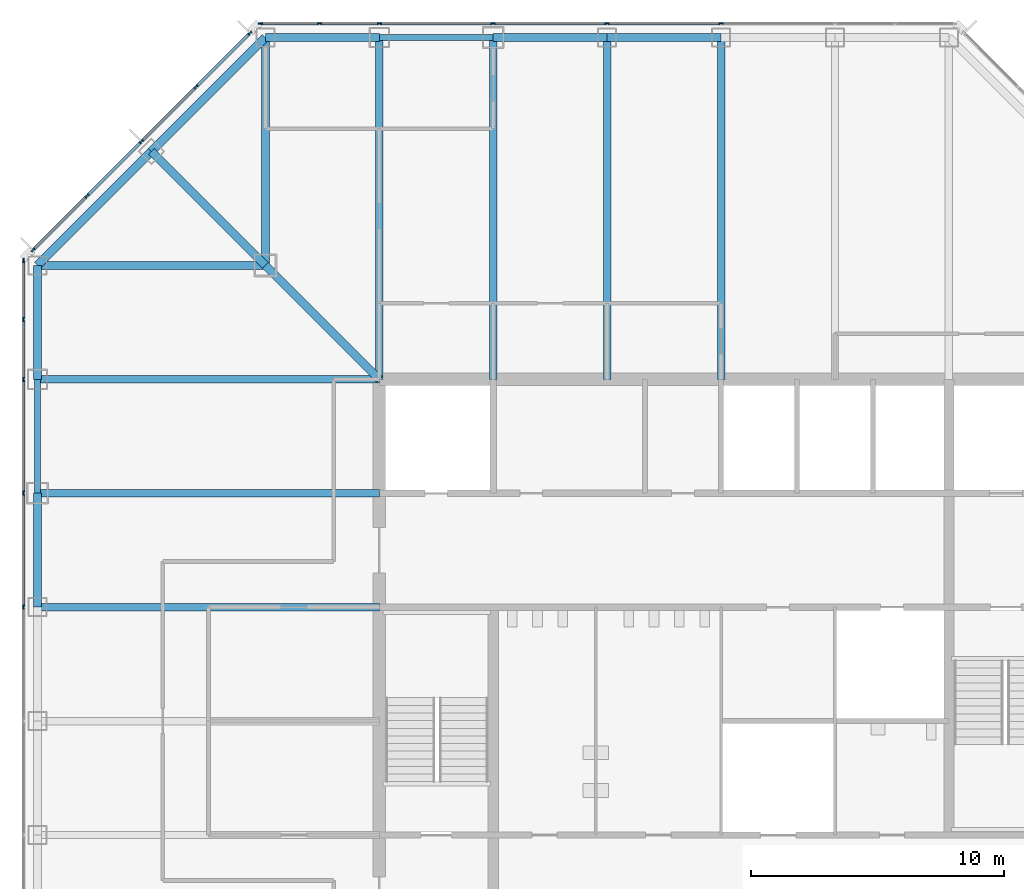
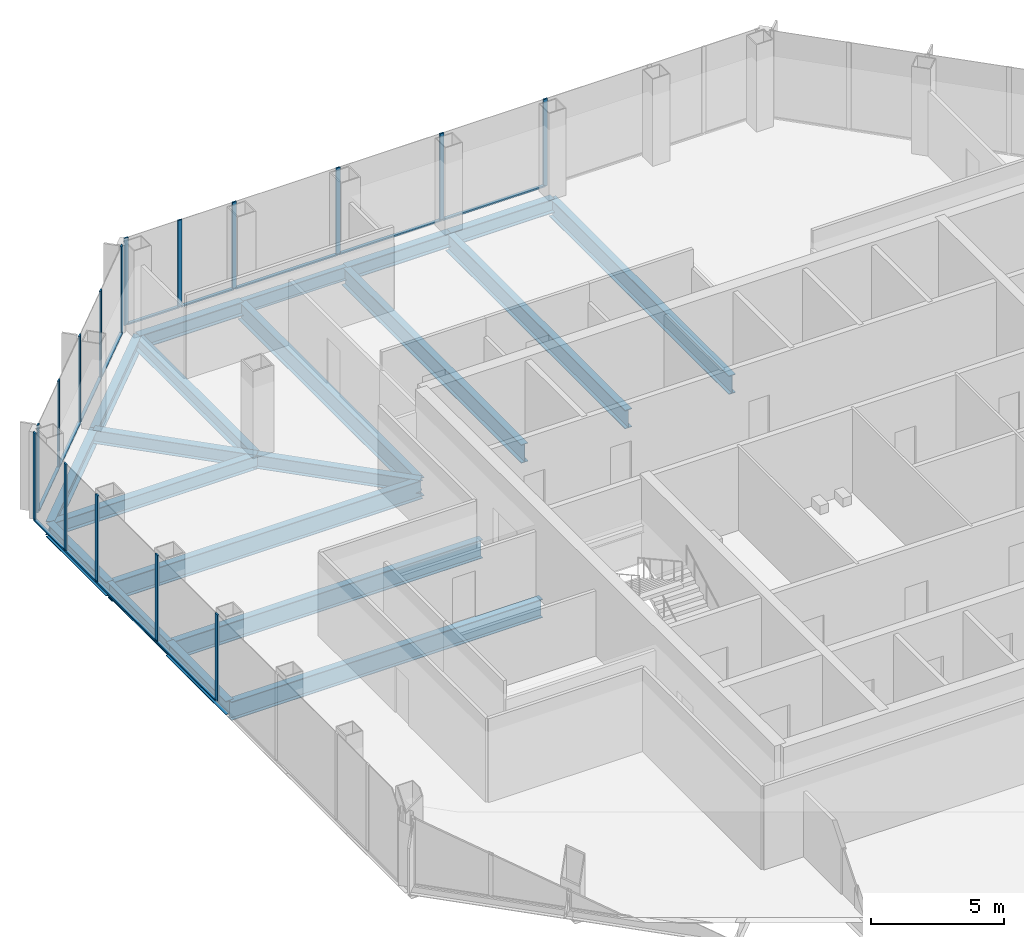
# One storey, part 5 of 12: 29 members, 20 beams, 3 elements without a shape of their own.
"""IFC4 building model written with IfcOpenShell, lengths in metres."""

from ifc_helpers import new_model, si_unit, direction, frame, origin, origin_2d, place, context, subcontext, project, spatial, rectangle, i_section, extrude, material, material_profile, profile_set, type_object, element, aggregate, save


model = new_model("IFC4")

# Units and contexts
model_context = context("Model", 3, precision=1e-05, world=origin(), true_north=direction((0.0, 1.0)))
body_context = subcontext(model_context, "Body", "Model", "MODEL_VIEW")
ifc_project = project(units=[si_unit("LENGTHUNIT", "METRE"), si_unit("AREAUNIT", "SQUARE_METRE"), si_unit("VOLUMEUNIT", "CUBIC_METRE"), si_unit("PLANEANGLEUNIT", "RADIAN"), si_unit("MASSUNIT", "GRAM", prefix="KILO")], contexts=[model_context])

# Site, building, storey
site_placement = place(None, origin())
site = spatial("IfcSite", under=ifc_project, at=site_placement, CompositionType="ELEMENT")
building_placement = place(site_placement, origin())
building = spatial("IfcBuilding", under=site, at=building_placement, Name="Corais Broadcast Tower", CompositionType="ELEMENT")
storey_placement = place(building_placement, frame((0.0, 0.0, 131.60009765625)))
storey = spatial("IfcBuildingStorey", under=building, at=storey_placement, Name="L29", CompositionType="ELEMENT", Elevation=131.60009765625)

# Beams
ifc_material_1 = material(Name="Steel ASTM A572 Grade 50", Category="steel")
ifc_material_profile_1 = material_profile(ifc_material_1, i_section(OverallWidth=0.323974609375, OverallDepth=0.611083984375, WebThickness=0.0126953125, FlangeThickness=0.01904296875, at=origin_2d()), Name="W610x155")
ifc_profile_set_1 = profile_set([ifc_material_profile_1], Name="Steel ASTM A572 Grade 50")
beam_type_1 = type_object("IfcBeamType", Name="Chamfer tie W610x155", PredefinedType="BEAM", material=ifc_profile_set_1)
beam_1_placement = place(storey_placement, frame((4.5, 49.5, -0.465576171875), z_axis=(0.707106781187, -0.707106781187, 0.0), x_axis=(0.707106781187, 0.707106781187, 0.0)))
element("IfcBeam", 1, at=beam_1_placement, inside=storey, type_object=beam_type_1, Name="B5 M/4 to L/5", PredefinedType="BEAM", context=body_context, shape_type="SweptSolid", body=[
    extrude(i_section(OverallWidth=0.323974609375, OverallDepth=0.611083984375, WebThickness=0.0126953125, FlangeThickness=0.01904296875, at=origin_2d()), origin(), (0.0, 0.0, 1.0), 6.364013671875),
])
ifc_material_2 = material(Name="Steel ASTM A572 Grade 50", Category="steel")
ifc_material_profile_2 = material_profile(ifc_material_2, i_section(OverallWidth=0.323974609375, OverallDepth=0.611083984375, WebThickness=0.0126953125, FlangeThickness=0.01904296875, at=origin_2d()), Name="W610x155")
ifc_profile_set_2 = profile_set([ifc_material_profile_2], Name="Steel ASTM A572 Grade 50")
beam_type_2 = type_object("IfcBeamType", Name="Corner diagonal W610x155", PredefinedType="BEAM", material=ifc_profile_set_2)
beam_2_placement = place(storey_placement, frame((9.0, 45.0, -0.465576171875), z_axis=(0.707106781187, -0.707106781187, 0.0), x_axis=(0.707106781187, 0.707106781187, 0.0)))
element("IfcBeam", 2, at=beam_2_placement, inside=storey, type_object=beam_type_2, Name="B6 L/5 to K/6", PredefinedType="BEAM", context=body_context, shape_type="SweptSolid", body=[
    extrude(i_section(OverallWidth=0.323974609375, OverallDepth=0.611083984375, WebThickness=0.0126953125, FlangeThickness=0.01904296875, at=origin_2d()), origin(), (0.0, 0.0, 1.0), 6.364013671875),
])
ifc_material_3 = material(Name="Steel ASTM A572 Grade 50", Category="steel")
ifc_material_profile_3 = material_profile(ifc_material_3, i_section(OverallWidth=0.323974609375, OverallDepth=0.611083984375, WebThickness=0.0126953125, FlangeThickness=0.01904296875, at=origin_2d()), Name="W610x155")
ifc_profile_set_3 = profile_set([ifc_material_profile_3], Name="Steel ASTM A572 Grade 50")
beam_type_3 = type_object("IfcBeamType", Name="Corner girder W610x155", PredefinedType="BEAM", material=ifc_profile_set_3)
for number, where, z_axis, x_axis, name in (
    (3, (0.0, 45.0, -0.465576171875), (1.0, 0.0, 0.0), (0.0, 1.0, 0.0), "B4 L/3 to L/5"),
    (4, (9.0, 54.0, -0.465576171875), (0.0, -1.0, 0.0), (1.0, 0.0, 0.0), "B4 N/5 to L/5"),
):
    element("IfcBeam", number, at=place(storey_placement, frame(where, z_axis=z_axis, x_axis=x_axis)), inside=storey, type_object=beam_type_3, Name=name, PredefinedType="BEAM", context=body_context, shape_type="SweptSolid", body=[
        extrude(i_section(OverallWidth=0.323974609375, OverallDepth=0.611083984375, WebThickness=0.0126953125, FlangeThickness=0.01904296875, at=origin_2d()), origin(), (0.0, 0.0, 1.0), 9.0),
    ])
ifc_material_4 = material(Name="Steel ASTM A572 Grade 50", Category="steel")
ifc_material_profile_4 = material_profile(ifc_material_4, i_section(OverallWidth=0.2939453125, OverallDepth=0.85107421875, WebThickness=0.01611328125, FlangeThickness=0.02685546875, at=origin_2d()), Name="W840x226")
ifc_profile_set_4 = profile_set([ifc_material_profile_4], Name="Steel ASTM A572 Grade 50")
beam_type_4 = type_object("IfcBeamType", Name="Floor beam W840x226", PredefinedType="BEAM", material=ifc_profile_set_4)
for number, where, z_axis, x_axis, name in (
    (5, (0.0, 31.5, -0.585693359375), (1.0, 0.0, 0.0), (0.0, 1.0, 0.0), "B1 H/3 to H/6"),
    (6, (0.0, 36.0, -0.585693359375), (1.0, 0.0, 0.0), (0.0, 1.0, 0.0), "B1 J/3 to J/6"),
    (7, (0.0, 40.5, -0.585693359375), (1.0, 0.0, 0.0), (0.0, 1.0, 0.0), "B1 K/3 to K/6"),
    (8, (13.5, 54.0, -0.585693359375), (0.0, -1.0, 0.0), (1.0, 0.0, 0.0), "B1 N/6 to K/6"),
    (9, (18.0, 54.0, -0.585693359375), (0.0, -1.0, 0.0), (1.0, 0.0, 0.0), "B1 N/7 to K/7"),
    (10, (22.5, 54.0, -0.585693359375), (0.0, -1.0, 0.0), (1.0, 0.0, 0.0), "B1 N/8 to K/8"),
    (11, (27.0, 54.0, -0.585693359375), (0.0, -1.0, 0.0), (1.0, 0.0, 0.0), "B1 N/9 to K/9"),
):
    element("IfcBeam", number, at=place(storey_placement, frame(where, z_axis=z_axis, x_axis=x_axis)), inside=storey, type_object=beam_type_4, Name=name, PredefinedType="BEAM", context=body_context, shape_type="SweptSolid", body=[
        extrude(i_section(OverallWidth=0.2939453125, OverallDepth=0.85107421875, WebThickness=0.01611328125, FlangeThickness=0.02685546875, at=origin_2d()), origin(), (0.0, 0.0, 1.0), 13.5),
    ])

# Curtain wall, members
ifc_material_5 = material(Name="Aluminium and glass", Category="aluminium")
curtain_wall_type = type_object("IfcCurtainWallType", Name="Unitised fritted curtain wall CW2", PredefinedType="NOTDEFINED", material=ifc_material_5)
curtain_wall_1_placement = place(storey_placement, origin())
curtain_wall_1 = element("IfcCurtainWall", 12, at=curtain_wall_1_placement, inside=storey, type_object=curtain_wall_type, Name="CW2 curtain wall L29 2", PredefinedType="NOTDEFINED")
ifc_material_6 = material(Name="Aluminium 6063-T6", Category="aluminium")
ifc_material_profile_5 = material_profile(ifc_material_6, rectangle(XDim=0.06494140625, YDim=0.179931640625, at=origin_2d()), Name="Mullion CW2 65x180")
ifc_profile_set_5 = profile_set([ifc_material_profile_5], Name="Aluminium 6063-T6")
member_type_1 = type_object("IfcMemberType", Name="Mullion CW2 65x180", PredefinedType="MULLION", material=ifc_profile_set_5)
member_1_placement = place(storey_placement, frame((-0.550048828125, 31.5, 0.0), z_axis=(0.0, 0.0, 1.0), x_axis=(-1.0, 0.0, 0.0)))
member_1 = element("IfcMember", 13, at=member_1_placement, type_object=member_type_1, Name="CW2 mullion 5", PredefinedType="MULLION", context=body_context, shape_type="SweptSolid", body=[
    extrude(rectangle(XDim=0.06494140625, YDim=0.179931640625, at=origin_2d()), origin(), (0.0, 0.0, 1.0), 4.0),
])
member_2_placement = place(storey_placement, frame((-0.550048828125, 36.0, 0.0), z_axis=(0.0, 0.0, 1.0), x_axis=(-1.0, 0.0, 0.0)))
member_2 = element("IfcMember", 14, at=member_2_placement, type_object=member_type_1, Name="CW2 mullion 6", PredefinedType="MULLION", context=body_context, shape_type="SweptSolid", body=[
    extrude(rectangle(XDim=0.06494140625, YDim=0.179931640625, at=origin_2d()), origin(), (0.0, 0.0, 1.0), 4.0),
])
member_3_placement = place(storey_placement, frame((-0.550048828125, 40.5, 0.0), z_axis=(0.0, 0.0, 1.0), x_axis=(-1.0, 0.0, 0.0)))
member_3 = element("IfcMember", 15, at=member_3_placement, type_object=member_type_1, Name="CW2 mullion 7", PredefinedType="MULLION", context=body_context, shape_type="SweptSolid", body=[
    extrude(rectangle(XDim=0.06494140625, YDim=0.179931640625, at=origin_2d()), origin(), (0.0, 0.0, 1.0), 4.0),
])
member_4_placement = place(storey_placement, frame((-0.550048828125, 42.864013671875, 0.0), z_axis=(0.0, 0.0, 1.0), x_axis=(-1.0, 0.0, 0.0)))
member_4 = element("IfcMember", 16, at=member_4_placement, type_object=member_type_1, Name="CW2 mullion 8", PredefinedType="MULLION", context=body_context, shape_type="SweptSolid", body=[
    extrude(rectangle(XDim=0.06494140625, YDim=0.179931640625, at=origin_2d()), origin(), (0.0, 0.0, 1.0), 4.0),
])
member_5_placement = place(storey_placement, frame((-0.550048828125, 45.1953125, 0.0), z_axis=(0.0, 0.0, 1.0), x_axis=(-1.0, 0.0, 0.0)))
member_5 = element("IfcMember", 17, at=member_5_placement, type_object=member_type_1, Name="CW2 mullion 9", PredefinedType="MULLION", context=body_context, shape_type="SweptSolid", body=[
    extrude(rectangle(XDim=0.06494140625, YDim=0.179931640625, at=origin_2d()), origin(), (0.0, 0.0, 1.0), 4.0),
])

curtain_wall_2_placement = place(storey_placement, origin())
curtain_wall_2 = element("IfcCurtainWall", 18, at=curtain_wall_2_placement, inside=storey, type_object=curtain_wall_type, Name="CW2 curtain wall L29 3", PredefinedType="NOTDEFINED")
member_6_placement = place(storey_placement, frame((-0.17333984375, 45.6044921875, 0.0), z_axis=(0.0, 0.0, 1.0), x_axis=(-0.707106781187, 0.707106781187, 0.0)))
member_6 = element("IfcMember", 19, at=member_6_placement, type_object=member_type_1, Name="CW2 mullion 1", PredefinedType="MULLION", context=body_context, shape_type="SweptSolid", body=[
    extrude(rectangle(XDim=0.06494140625, YDim=0.179931640625, at=origin_2d()), origin(), (0.0, 0.0, 1.0), 4.0),
])
member_7_placement = place(storey_placement, frame((1.957275390625, 47.735107421875, 0.0), z_axis=(0.0, 0.0, 1.0), x_axis=(-0.707106781187, 0.707106781187, 0.0)))
member_7 = element("IfcMember", 20, at=member_7_placement, type_object=member_type_1, Name="CW2 mullion 2", PredefinedType="MULLION", context=body_context, shape_type="SweptSolid", body=[
    extrude(rectangle(XDim=0.06494140625, YDim=0.179931640625, at=origin_2d()), origin(), (0.0, 0.0, 1.0), 4.0),
])
member_8_placement = place(storey_placement, frame((4.111083984375, 49.888916015625, 0.0), z_axis=(0.0, 0.0, 1.0), x_axis=(-0.707106781187, 0.707106781187, 0.0)))
member_8 = element("IfcMember", 21, at=member_8_placement, type_object=member_type_1, Name="CW2 mullion 3", PredefinedType="MULLION", context=body_context, shape_type="SweptSolid", body=[
    extrude(rectangle(XDim=0.06494140625, YDim=0.179931640625, at=origin_2d()), origin(), (0.0, 0.0, 1.0), 4.0),
])
member_9_placement = place(storey_placement, frame((6.264892578125, 52.042724609375, 0.0), z_axis=(0.0, 0.0, 1.0), x_axis=(-0.707106781187, 0.707106781187, 0.0)))
member_9 = element("IfcMember", 22, at=member_9_placement, type_object=member_type_1, Name="CW2 mullion 4", PredefinedType="MULLION", context=body_context, shape_type="SweptSolid", body=[
    extrude(rectangle(XDim=0.06494140625, YDim=0.179931640625, at=origin_2d()), origin(), (0.0, 0.0, 1.0), 4.0),
])
member_10_placement = place(storey_placement, frame((8.3955078125, 54.17333984375, 0.0), z_axis=(0.0, 0.0, 1.0), x_axis=(-0.707106781187, 0.707106781187, 0.0)))
member_10 = element("IfcMember", 23, at=member_10_placement, type_object=member_type_1, Name="CW2 mullion 5", PredefinedType="MULLION", context=body_context, shape_type="SweptSolid", body=[
    extrude(rectangle(XDim=0.06494140625, YDim=0.179931640625, at=origin_2d()), origin(), (0.0, 0.0, 1.0), 4.0),
])

curtain_wall_3_placement = place(storey_placement, origin())
curtain_wall_3 = element("IfcCurtainWall", 24, at=curtain_wall_3_placement, inside=storey, type_object=curtain_wall_type, Name="CW2 curtain wall L29 4", PredefinedType="NOTDEFINED")
member_11_placement = place(storey_placement, frame((8.8046875, 54.550048828125, 0.0), z_axis=(0.0, 0.0, 1.0), x_axis=(0.0, 1.0, 0.0)))
member_11 = element("IfcMember", 25, at=member_11_placement, type_object=member_type_1, Name="CW2 mullion 1", PredefinedType="MULLION", context=body_context, shape_type="SweptSolid", body=[
    extrude(rectangle(XDim=0.06494140625, YDim=0.179931640625, at=origin_2d()), origin(), (0.0, 0.0, 1.0), 4.0),
])
member_12_placement = place(storey_placement, frame((11.135986328125, 54.550048828125, 0.0), z_axis=(0.0, 0.0, 1.0), x_axis=(0.0, 1.0, 0.0)))
member_12 = element("IfcMember", 26, at=member_12_placement, type_object=member_type_1, Name="CW2 mullion 2", PredefinedType="MULLION", context=body_context, shape_type="SweptSolid", body=[
    extrude(rectangle(XDim=0.06494140625, YDim=0.179931640625, at=origin_2d()), origin(), (0.0, 0.0, 1.0), 4.0),
])
member_13_placement = place(storey_placement, frame((13.5, 54.550048828125, 0.0), z_axis=(0.0, 0.0, 1.0), x_axis=(0.0, 1.0, 0.0)))
member_13 = element("IfcMember", 27, at=member_13_placement, type_object=member_type_1, Name="CW2 mullion 3", PredefinedType="MULLION", context=body_context, shape_type="SweptSolid", body=[
    extrude(rectangle(XDim=0.06494140625, YDim=0.179931640625, at=origin_2d()), origin(), (0.0, 0.0, 1.0), 4.0),
])
member_14_placement = place(storey_placement, frame((18.0, 54.550048828125, 0.0), z_axis=(0.0, 0.0, 1.0), x_axis=(0.0, 1.0, 0.0)))
member_14 = element("IfcMember", 28, at=member_14_placement, type_object=member_type_1, Name="CW2 mullion 4", PredefinedType="MULLION", context=body_context, shape_type="SweptSolid", body=[
    extrude(rectangle(XDim=0.06494140625, YDim=0.179931640625, at=origin_2d()), origin(), (0.0, 0.0, 1.0), 4.0),
])
member_15_placement = place(storey_placement, frame((22.5, 54.550048828125, 0.0), z_axis=(0.0, 0.0, 1.0), x_axis=(0.0, 1.0, 0.0)))
member_15 = element("IfcMember", 29, at=member_15_placement, type_object=member_type_1, Name="CW2 mullion 5", PredefinedType="MULLION", context=body_context, shape_type="SweptSolid", body=[
    extrude(rectangle(XDim=0.06494140625, YDim=0.179931640625, at=origin_2d()), origin(), (0.0, 0.0, 1.0), 4.0),
])
member_16_placement = place(storey_placement, frame((27.0, 54.550048828125, 0.0), z_axis=(0.0, 0.0, 1.0), x_axis=(0.0, 1.0, 0.0)))
member_16 = element("IfcMember", 30, at=member_16_placement, type_object=member_type_1, Name="CW2 mullion 6", PredefinedType="MULLION", context=body_context, shape_type="SweptSolid", body=[
    extrude(rectangle(XDim=0.06494140625, YDim=0.179931640625, at=origin_2d()), origin(), (0.0, 0.0, 1.0), 4.0),
])

# Beams
ifc_material_7 = material(Name="Steel ASTM A572 Grade 50", Category="steel")
ifc_material_profile_6 = material_profile(ifc_material_7, i_section(OverallWidth=0.22900390625, OverallDepth=0.612060546875, WebThickness=0.011962890625, FlangeThickness=0.01953125, at=origin_2d()), Name="W610x125")
ifc_profile_set_6 = profile_set([ifc_material_profile_6], Name="Steel ASTM A572 Grade 50")
beam_type_5 = type_object("IfcBeamType", Name="Pinned spandrel W610x125", PredefinedType="BEAM", material=ifc_profile_set_6)
for number, where, z_axis, x_axis, name in (
    (31, (0.0, 40.5, -0.466064453125), (0.0, -1.0, 0.0), (1.0, 0.0, 0.0), "SB7 K/3 to J/3"),
    (32, (18.0, 54.0, -0.466064453125), (-1.0, 0.0, 0.0), (0.0, -1.0, 0.0), "SB7 N/7 to N/6"),
):
    element("IfcBeam", number, at=place(storey_placement, frame(where, z_axis=z_axis, x_axis=x_axis)), inside=storey, type_object=beam_type_5, Name=name, PredefinedType="BEAM", context=body_context, shape_type="SweptSolid", body=[
        extrude(i_section(OverallWidth=0.22900390625, OverallDepth=0.612060546875, WebThickness=0.011962890625, FlangeThickness=0.01953125, at=origin_2d()), origin(), (0.0, 0.0, 1.0), 4.5),
    ])
ifc_material_8 = material(Name="Steel ASTM A572 Grade 50", Category="steel")
ifc_material_profile_7 = material_profile(ifc_material_8, i_section(OverallWidth=0.3291015625, OverallDepth=0.635009765625, WebThickness=0.017822265625, FlangeThickness=0.031005859375, at=origin_2d()), Name="W610x241")
ifc_profile_set_7 = profile_set([ifc_material_profile_7], Name="Steel ASTM A572 Grade 50")
beam_type_6 = type_object("IfcBeamType", Name="Spandrel W610x241", PredefinedType="BEAM", material=ifc_profile_set_7)
for number, where, z_axis, x_axis, name in (
    (33, (0.0, 36.0, -0.4775390625), (0.0, -1.0, 0.0), (1.0, 0.0, 0.0), "SB1 J/3 to H/3"),
    (34, (0.0, 45.0, -0.4775390625), (0.0, -1.0, 0.0), (1.0, 0.0, 0.0), "SB1 L/3 to K/3"),
    (35, (13.5, 54.0, -0.4775390625), (-1.0, 0.0, 0.0), (0.0, -1.0, 0.0), "SB1 N/6 to N/5"),
    (36, (22.5, 54.0, -0.4775390625), (-1.0, 0.0, 0.0), (0.0, -1.0, 0.0), "SB1 N/8 to N/7"),
    (37, (27.0, 54.0, -0.4775390625), (-1.0, 0.0, 0.0), (0.0, -1.0, 0.0), "SB1 N/9 to N/8"),
):
    element("IfcBeam", number, at=place(storey_placement, frame(where, z_axis=z_axis, x_axis=x_axis)), inside=storey, type_object=beam_type_6, Name=name, PredefinedType="BEAM", context=body_context, shape_type="SweptSolid", body=[
        extrude(i_section(OverallWidth=0.3291015625, OverallDepth=0.635009765625, WebThickness=0.017822265625, FlangeThickness=0.031005859375, at=origin_2d()), origin(), (0.0, 0.0, 1.0), 4.5),
    ])
for number, where, z_axis, x_axis, name in (
    (38, (4.5, 49.5, -0.4775390625), (-0.707106781187, -0.707106781187, 0.0), (0.707106781187, -0.707106781187, 0.0), "SB1 M/4 to L/3"),
    (39, (9.0, 54.0, -0.4775390625), (-0.707106781187, -0.707106781187, 0.0), (0.707106781187, -0.707106781187, 0.0), "SB1 N/5 to M/4"),
):
    element("IfcBeam", number, at=place(storey_placement, frame(where, z_axis=z_axis, x_axis=x_axis)), inside=storey, type_object=beam_type_6, Name=name, PredefinedType="BEAM", context=body_context, shape_type="SweptSolid", body=[
        extrude(i_section(OverallWidth=0.3291015625, OverallDepth=0.635009765625, WebThickness=0.017822265625, FlangeThickness=0.031005859375, at=origin_2d()), origin(), (0.0, 0.0, 1.0), 6.364013671875),
    ])

# Member
ifc_material_9 = material(Name="Aluminium 6063-T6", Category="aluminium")
ifc_material_profile_8 = material_profile(ifc_material_9, rectangle(XDim=0.1298828125, YDim=0.06494140625, at=origin_2d()), Name="Transom CW2 65x130")
ifc_profile_set_8 = profile_set([ifc_material_profile_8], Name="Aluminium 6063-T6")
member_type_2 = type_object("IfcMemberType", Name="Transom CW2 65x130", PredefinedType="USERDEFINED", material=ifc_profile_set_8)
member_17_placement = place(storey_placement, frame((-0.550048828125, 31.532470703125, 0.032470703125), z_axis=(0.0, 1.0, 0.0), x_axis=(-1.0, 0.0, 0.0)))
member_17 = element("IfcMember", 40, at=member_17_placement, type_object=member_type_2, Name="CW2 transom 5.1", ObjectType="TRANSOM", PredefinedType="USERDEFINED", context=body_context, shape_type="SweptSolid", body=[
    extrude(rectangle(XDim=0.1298828125, YDim=0.06494140625, at=origin_2d()), origin(), (0.0, 0.0, 1.0), 4.43505859375),
])

member_18_placement = place(storey_placement, frame((-0.550048828125, 36.032470703125, 0.032470703125), z_axis=(0.0, 1.0, 0.0), x_axis=(-1.0, 0.0, 0.0)))
member_18 = element("IfcMember", 41, at=member_18_placement, type_object=member_type_2, Name="CW2 transom 6.1", ObjectType="TRANSOM", PredefinedType="USERDEFINED", context=body_context, shape_type="SweptSolid", body=[
    extrude(rectangle(XDim=0.1298828125, YDim=0.06494140625, at=origin_2d()), origin(), (0.0, 0.0, 1.0), 4.43505859375),
])

member_19_placement = place(storey_placement, frame((-0.550048828125, 40.532470703125, 0.032470703125), z_axis=(0.0, 1.0, 0.0), x_axis=(-1.0, 0.0, 0.0)))
member_19 = element("IfcMember", 42, at=member_19_placement, type_object=member_type_2, Name="CW2 transom 7.1", ObjectType="TRANSOM", PredefinedType="USERDEFINED", context=body_context, shape_type="SweptSolid", body=[
    extrude(rectangle(XDim=0.1298828125, YDim=0.06494140625, at=origin_2d()), origin(), (0.0, 0.0, 1.0), 2.298828125),
])

member_20_placement = place(storey_placement, frame((-0.550048828125, 42.896484375, 0.032470703125), z_axis=(0.0, 1.0, 0.0), x_axis=(-1.0, 0.0, 0.0)))
member_20 = element("IfcMember", 43, at=member_20_placement, type_object=member_type_2, Name="CW2 transom 8.1", ObjectType="TRANSOM", PredefinedType="USERDEFINED", context=body_context, shape_type="SweptSolid", body=[
    extrude(rectangle(XDim=0.1298828125, YDim=0.06494140625, at=origin_2d()), origin(), (0.0, 0.0, 1.0), 2.266357421875),
])

aggregate(curtain_wall_1, [member_1, member_2, member_3, member_4, member_5, member_17, member_18, member_19, member_20])

member_21_placement = place(storey_placement, frame((-0.150390625, 45.62744140625, 0.032470703125), z_axis=(0.707106781187, 0.707106781187, 0.0), x_axis=(-0.707106781187, 0.707106781187, 0.0)))
member_21 = element("IfcMember", 44, at=member_21_placement, type_object=member_type_2, Name="CW2 transom 1.1", ObjectType="TRANSOM", PredefinedType="USERDEFINED", context=body_context, shape_type="SweptSolid", body=[
    extrude(rectangle(XDim=0.1298828125, YDim=0.06494140625, at=origin_2d()), origin(), (0.0, 0.0, 1.0), 2.9482421875),
])

member_22_placement = place(storey_placement, frame((1.980224609375, 47.758056640625, 0.032470703125), z_axis=(0.707106781187, 0.707106781187, 0.0), x_axis=(-0.707106781187, 0.707106781187, 0.0)))
member_22 = element("IfcMember", 45, at=member_22_placement, type_object=member_type_2, Name="CW2 transom 2.1", ObjectType="TRANSOM", PredefinedType="USERDEFINED", context=body_context, shape_type="SweptSolid", body=[
    extrude(rectangle(XDim=0.1298828125, YDim=0.06494140625, at=origin_2d()), origin(), (0.0, 0.0, 1.0), 2.98095703125),
])

member_23_placement = place(storey_placement, frame((4.134033203125, 49.911865234375, 0.032470703125), z_axis=(0.707106781187, 0.707106781187, 0.0), x_axis=(-0.707106781187, 0.707106781187, 0.0)))
member_23 = element("IfcMember", 46, at=member_23_placement, type_object=member_type_2, Name="CW2 transom 3.1", ObjectType="TRANSOM", PredefinedType="USERDEFINED", context=body_context, shape_type="SweptSolid", body=[
    extrude(rectangle(XDim=0.1298828125, YDim=0.06494140625, at=origin_2d()), origin(), (0.0, 0.0, 1.0), 2.98095703125),
])

member_24_placement = place(storey_placement, frame((6.287841796875, 52.065673828125, 0.032470703125), z_axis=(0.707106781187, 0.707106781187, 0.0), x_axis=(-0.707106781187, 0.707106781187, 0.0)))
member_24 = element("IfcMember", 47, at=member_24_placement, type_object=member_type_2, Name="CW2 transom 4.1", ObjectType="TRANSOM", PredefinedType="USERDEFINED", context=body_context, shape_type="SweptSolid", body=[
    extrude(rectangle(XDim=0.1298828125, YDim=0.06494140625, at=origin_2d()), origin(), (0.0, 0.0, 1.0), 2.9482421875),
])

aggregate(curtain_wall_2, [member_6, member_7, member_8, member_9, member_10, member_21, member_22, member_23, member_24])

member_25_placement = place(storey_placement, frame((8.837158203125, 54.550048828125, 0.032470703125), z_axis=(1.0, 0.0, 0.0), x_axis=(0.0, 1.0, 0.0)))
member_25 = element("IfcMember", 48, at=member_25_placement, type_object=member_type_2, Name="CW2 transom 1.1", ObjectType="TRANSOM", PredefinedType="USERDEFINED", context=body_context, shape_type="SweptSolid", body=[
    extrude(rectangle(XDim=0.1298828125, YDim=0.06494140625, at=origin_2d()), origin(), (0.0, 0.0, 1.0), 2.266357421875),
])

member_26_placement = place(storey_placement, frame((11.168701171875, 54.550048828125, 0.032470703125), z_axis=(1.0, 0.0, 0.0), x_axis=(0.0, 1.0, 0.0)))
member_26 = element("IfcMember", 49, at=member_26_placement, type_object=member_type_2, Name="CW2 transom 2.1", ObjectType="TRANSOM", PredefinedType="USERDEFINED", context=body_context, shape_type="SweptSolid", body=[
    extrude(rectangle(XDim=0.1298828125, YDim=0.06494140625, at=origin_2d()), origin(), (0.0, 0.0, 1.0), 2.298828125),
])

member_27_placement = place(storey_placement, frame((13.532470703125, 54.550048828125, 0.032470703125), z_axis=(1.0, 0.0, 0.0), x_axis=(0.0, 1.0, 0.0)))
member_27 = element("IfcMember", 50, at=member_27_placement, type_object=member_type_2, Name="CW2 transom 3.1", ObjectType="TRANSOM", PredefinedType="USERDEFINED", context=body_context, shape_type="SweptSolid", body=[
    extrude(rectangle(XDim=0.1298828125, YDim=0.06494140625, at=origin_2d()), origin(), (0.0, 0.0, 1.0), 4.43505859375),
])

member_28_placement = place(storey_placement, frame((18.032470703125, 54.550048828125, 0.032470703125), z_axis=(1.0, 0.0, 0.0), x_axis=(0.0, 1.0, 0.0)))
member_28 = element("IfcMember", 51, at=member_28_placement, type_object=member_type_2, Name="CW2 transom 4.1", ObjectType="TRANSOM", PredefinedType="USERDEFINED", context=body_context, shape_type="SweptSolid", body=[
    extrude(rectangle(XDim=0.1298828125, YDim=0.06494140625, at=origin_2d()), origin(), (0.0, 0.0, 1.0), 4.43505859375),
])

member_29_placement = place(storey_placement, frame((22.532470703125, 54.550048828125, 0.032470703125), z_axis=(1.0, 0.0, 0.0), x_axis=(0.0, 1.0, 0.0)))
member_29 = element("IfcMember", 52, at=member_29_placement, type_object=member_type_2, Name="CW2 transom 5.1", ObjectType="TRANSOM", PredefinedType="USERDEFINED", context=body_context, shape_type="SweptSolid", body=[
    extrude(rectangle(XDim=0.1298828125, YDim=0.06494140625, at=origin_2d()), origin(), (0.0, 0.0, 1.0), 4.43505859375),
])

aggregate(curtain_wall_3, [member_11, member_12, member_13, member_14, member_15, member_16, member_25, member_26, member_27, member_28, member_29])

save(model, "model.ifc")
